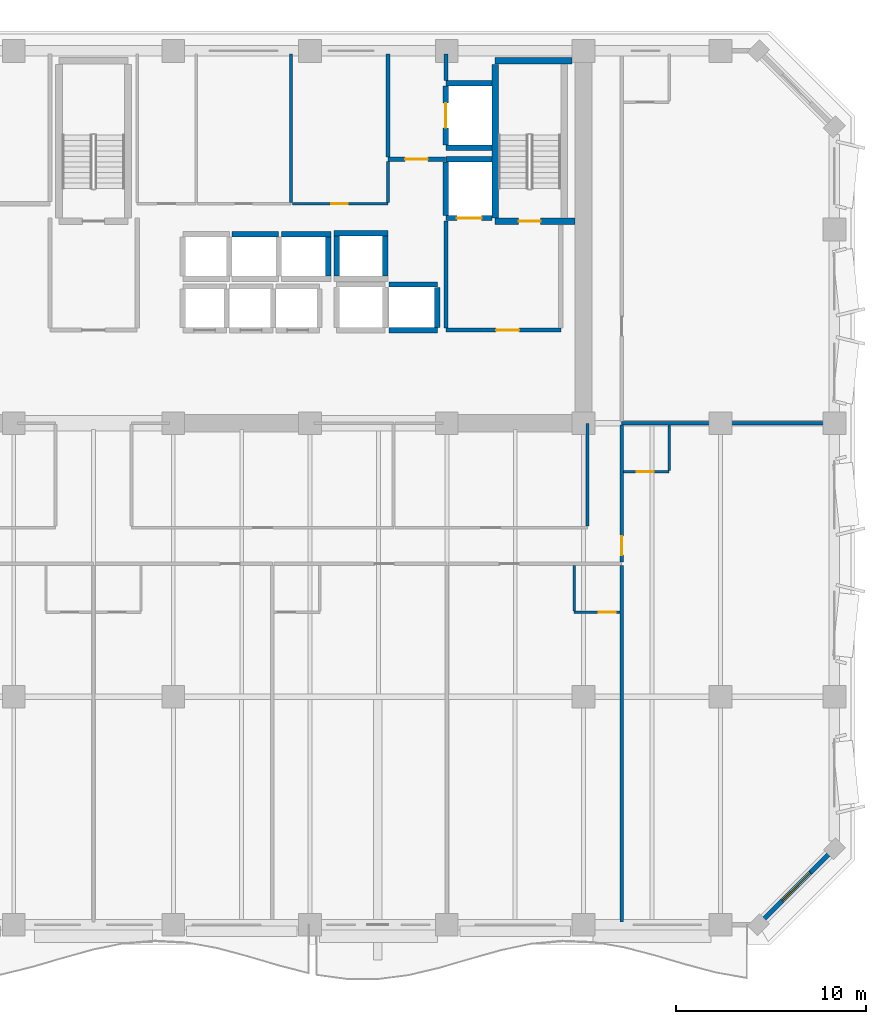
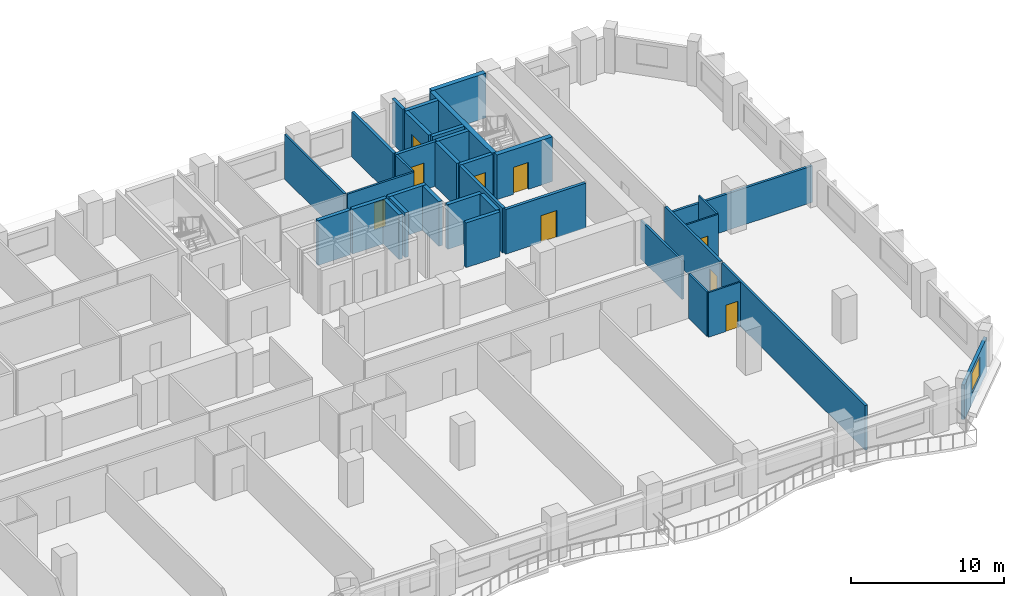
# One storey, part 8 of 14: 35 walls, 9 doors, 1 window, 10 openings.
"""IFC4 building model written with IfcOpenShell, lengths in metres."""

from ifc_helpers import new_model, si_unit, direction, frame, frame_2d, origin, place, context, subcontext, project, spatial, rectangle, extrude, material, layer, layer_set, type_object, element, fill, save


model = new_model("IFC4")

# Units and contexts
model_context = context("Model", 3, precision=1e-05, world=origin(), true_north=direction((0.0, 1.0)))
body_context = subcontext(model_context, "Body", "Model", "MODEL_VIEW")
ifc_project = project(units=[si_unit("LENGTHUNIT", "METRE"), si_unit("AREAUNIT", "SQUARE_METRE"), si_unit("VOLUMEUNIT", "CUBIC_METRE"), si_unit("PLANEANGLEUNIT", "RADIAN"), si_unit("MASSUNIT", "GRAM", prefix="KILO")], contexts=[model_context])

# Site, building, storey
site_placement = place(None, origin())
site = spatial("IfcSite", under=ifc_project, at=site_placement, CompositionType="ELEMENT")
building_placement = place(site_placement, origin())
building = spatial("IfcBuilding", under=site, at=building_placement, Name="Kaelvorn Grand Hotel", CompositionType="ELEMENT")
storey_placement = place(building_placement, frame((0.0, 0.0, 193.949951171875)))
storey = spatial("IfcBuildingStorey", under=building, at=storey_placement, Name="L47", CompositionType="ELEMENT", Elevation=193.949951171875)

# Wall, opening, window
ifc_material_1 = material(Name="Concrete C40/50", Category="concrete")
ifc_layer_1 = layer(ifc_material_1, 0.239990234375)
ifc_layer_set_1 = layer_set([ifc_layer_1], Name="Concrete C40/50")
wall_type_1 = type_object("IfcWallType", Name="WL-EXT-240-C40", PredefinedType="SOLIDWALL", material=ifc_layer_set_1)
wall_1_placement = place(storey_placement, frame((77.0, 3.0, 0.0), z_axis=(0.0, 0.0, 1.0), x_axis=(0.707106781187, 0.707106781187, 0.0)))
wall_1 = element("IfcWall", 1, at=wall_1_placement, inside=storey, type_object=wall_type_1, Name="L47 Exterior Architectural Concrete Wall 02", PredefinedType="SOLIDWALL", context=body_context, shape_type="SweptSolid", body=[
    extrude(rectangle(XDim=5.65673828125, YDim=0.239990234375, at=frame_2d((2.828369140625, 0.0))), origin(), (0.0, 0.0, 1.0), 2.760009765625),
])
opening_1_placement = place(wall_1_placement, frame((1.7783203125, 0.0, 0.85009765625)))
opening_1 = element("IfcOpeningElement", 2, at=opening_1_placement, cuts=wall_1, Name="Opening W7", PredefinedType="OPENING", context=body_context, shape_type="SweptSolid", body=[
    extrude(rectangle(XDim=2.10009765625, YDim=1.60009765625, at=frame_2d((1.050048828125, 0.800048828125))), frame((0.0, 0.1298828125, 0.0), z_axis=(0.0, -1.0, 0.0), x_axis=(1.0, 0.0, 0.0)), (0.0, 0.0, 1.0), 0.260009765625),
])
ifc_material_2 = material(Name="Laminated Low-E Glass", Category="glass")
window_type = type_object("IfcWindowType", Name="WIN-CHM-2100x1600", PartitioningType="SINGLE_PANEL", PredefinedType="WINDOW", material=ifc_material_2)
window_placement = place(opening_1_placement, origin())
window = element("IfcWindow", 3, at=window_placement, inside=storey, type_object=window_type, Name="L47 Chamfered 45-Degree Corner Window SE", OverallHeight=1.60009765625, OverallWidth=2.10009765625, PartitioningType="SINGLE_PANEL", PredefinedType="WINDOW", context=body_context, shape_type="SweptSolid", body=[
    extrude(rectangle(XDim=2.10009765625, YDim=1.60009765625, at=frame_2d((1.050048828125, 0.800048828125))), frame((0.0, 0.030029296875, 0.0), z_axis=(0.0, -1.0, 0.0), x_axis=(1.0, 0.0, 0.0)), (0.0, 0.0, 1.0), 0.06005859375),
])
fill(opening_1, window)

# Wall, opening, door
ifc_material_3 = material(Name="Moisture-Resistant Tile & Stud Board")
ifc_layer_2 = layer(ifc_material_3, 0.125)
ifc_layer_set_2 = layer_set([ifc_layer_2], Name="Moisture-Resistant Tile & Stud Board")
wall_type_2 = type_object("IfcWallType", Name="WL-PART-125-WET", PredefinedType="PARTITIONING", material=ifc_layer_set_2)
wall_2_placement = place(storey_placement, frame((67.300048828125, 19.449951171875, 0.0), z_axis=(0.0, 0.0, 1.0), x_axis=(1.0, 0.0, 0.0)))
wall_2 = element("IfcWall", 4, at=wall_2_placement, inside=storey, type_object=wall_type_2, Name="L47 En-suite Bathroom L47-06 S Partition", PredefinedType="PARTITIONING", context=body_context, shape_type="SweptSolid", body=[
    extrude(rectangle(XDim=2.405029296875, YDim=0.125, at=frame_2d((1.20263671875, 0.0))), origin(), (0.0, 0.0, 1.0), 3.56005859375),
])
opening_2_placement = place(wall_2_placement, frame((1.300048828125, 0.0, 0.0)))
opening_2 = element("IfcOpeningElement", 5, at=opening_2_placement, cuts=wall_2, Name="Opening DI4", PredefinedType="OPENING", context=body_context, shape_type="SweptSolid", body=[
    extrude(rectangle(XDim=0.89990234375, YDim=2.10009765625, at=frame_2d((0.449951171875, 1.050048828125))), frame((0.0, 0.072509765625, 0.0), z_axis=(0.0, -1.0, 0.0), x_axis=(1.0, 0.0, 0.0)), (0.0, 0.0, 1.0), 0.14501953125),
])
ifc_material_4 = material(Name="Timber Veneer Leaf", Category="wood")
door_type_1 = type_object("IfcDoorType", Name="DR-INT-BATH-900x2100", OperationType="NOTDEFINED", PredefinedType="DOOR", material=ifc_material_4)
door_1_placement = place(opening_2_placement, origin())
door_1 = element("IfcDoor", 6, at=door_1_placement, inside=storey, type_object=door_type_1, Name="L47 En-suite Bathroom L47-06 Door", OperationType="SINGLE_SWING_LEFT", OverallHeight=2.10009765625, OverallWidth=0.89990234375, PredefinedType="DOOR", context=body_context, shape_type="SweptSolid", body=[
    extrude(rectangle(XDim=0.89990234375, YDim=2.10009765625, at=frame_2d((0.449951171875, 1.050048828125))), frame((0.0, 0.02490234375, 0.0), z_axis=(0.0, -1.0, 0.0), x_axis=(1.0, 0.0, 0.0)), (0.0, 0.0, 1.0), 0.050048828125),
])
fill(opening_2, door_1)

# Wall
wall_3_placement = place(storey_placement, frame((67.300048828125, 19.517578125, 0.0), z_axis=(0.0, 0.0, 1.0), x_axis=(0.0, 1.0, 0.0)))
element("IfcWall", 7, at=wall_3_placement, inside=storey, type_object=wall_type_2, Name="L47 En-suite Bathroom L47-06 W Partition", PredefinedType="PARTITIONING", context=body_context, shape_type="SweptSolid", body=[
    extrude(rectangle(XDim=2.387451171875, YDim=0.125, at=frame_2d((1.19384765625, 0.0))), origin(), (0.0, 0.0, 1.0), 3.56005859375),
])

# Wall, opening, door
wall_4_placement = place(storey_placement, frame((69.89501953125, 26.85009765625, 0.0), z_axis=(0.0, 0.0, 1.0), x_axis=(1.0, 0.0, 0.0)))
wall_4 = element("IfcWall", 8, at=wall_4_placement, inside=storey, type_object=wall_type_2, Name="L47 En-suite Bathroom L47-08 S Partition", PredefinedType="PARTITIONING", context=body_context, shape_type="SweptSolid", body=[
    extrude(rectangle(XDim=2.405029296875, YDim=0.125, at=frame_2d((1.20263671875, 0.0))), origin(), (0.0, 0.0, 1.0), 3.56005859375),
])
opening_3_placement = place(wall_4_placement, frame((0.705078125, 0.0, 0.0)))
opening_3 = element("IfcOpeningElement", 9, at=opening_3_placement, cuts=wall_4, Name="Opening DI4", PredefinedType="OPENING", context=body_context, shape_type="SweptSolid", body=[
    extrude(rectangle(XDim=0.89990234375, YDim=2.10009765625, at=frame_2d((0.449951171875, 1.050048828125))), frame((0.0, 0.072509765625, 0.0), z_axis=(0.0, -1.0, 0.0), x_axis=(1.0, 0.0, 0.0)), (0.0, 0.0, 1.0), 0.14501953125),
])
door_2_placement = place(opening_3_placement, origin())
door_2 = element("IfcDoor", 10, at=door_2_placement, inside=storey, type_object=door_type_1, Name="L47 En-suite Bathroom L47-08 Door", OperationType="SINGLE_SWING_LEFT", OverallHeight=2.10009765625, OverallWidth=0.89990234375, PredefinedType="DOOR", context=body_context, shape_type="SweptSolid", body=[
    extrude(rectangle(XDim=0.89990234375, YDim=2.10009765625, at=frame_2d((0.449951171875, 1.050048828125))), frame((0.0, 0.02490234375, 0.0), z_axis=(0.0, -1.0, 0.0), x_axis=(1.0, 0.0, 0.0)), (0.0, 0.0, 1.0), 0.050048828125),
])
fill(opening_3, door_2)

# Walls
wall_5_placement = place(storey_placement, frame((72.300048828125, 26.91748046875, 0.0), z_axis=(0.0, 0.0, 1.0), x_axis=(0.0, 1.0, 0.0)))
element("IfcWall", 11, at=wall_5_placement, inside=storey, type_object=wall_type_2, Name="L47 En-suite Bathroom L47-08 E Partition", PredefinedType="PARTITIONING", context=body_context, shape_type="SweptSolid", body=[
    extrude(rectangle(XDim=2.387451171875, YDim=0.125, at=frame_2d((1.19384765625, 0.0))), origin(), (0.0, 0.0, 1.0), 3.56005859375),
])
ifc_material_5 = material(Name="Acoustic Gypsum & Stud Partition")
ifc_layer_3 = layer(ifc_material_5, 0.14990234375)
ifc_layer_set_3 = layer_set([ifc_layer_3], Name="Acoustic Gypsum & Stud Partition")
wall_type_3 = type_object("IfcWallType", Name="WL-PART-150-EI60", PredefinedType="PARTITIONING", material=ifc_layer_set_3)
wall_6_placement = place(storey_placement, frame((52.39990234375, 41.030029296875, 0.0), z_axis=(0.0, 0.0, 1.0), x_axis=(0.0, 1.0, 0.0)))
element("IfcWall", 12, at=wall_6_placement, inside=storey, type_object=wall_type_3, Name="L47 Valet & Luggage Store E Partition", PredefinedType="PARTITIONING", context=body_context, shape_type="SweptSolid", body=[
    extrude(rectangle(XDim=7.820068359375, YDim=0.14990234375, at=frame_2d((3.91015625, 0.0))), origin(), (0.0, 0.0, 1.0), 3.56005859375),
])

# Wall, opening, door
wall_7_placement = place(storey_placement, frame((52.47998046875, 40.949951171875, 0.0), z_axis=(0.0, 0.0, 1.0), x_axis=(1.0, 0.0, 0.0)))
wall_7 = element("IfcWall", 13, at=wall_7_placement, inside=storey, type_object=wall_type_3, Name="L47 Clean Utility & Amenity Store S Partition", PredefinedType="PARTITIONING", context=body_context, shape_type="SweptSolid", body=[
    extrude(rectangle(XDim=5.02001953125, YDim=0.14990234375, at=frame_2d((2.510009765625, 0.0))), origin(), (0.0, 0.0, 1.0), 3.56005859375),
])
opening_4_placement = place(wall_7_placement, frame((2.044921875, 0.0, 0.0)))
opening_4 = element("IfcOpeningElement", 14, at=opening_4_placement, cuts=wall_7, Name="Opening DI7", PredefinedType="OPENING", context=body_context, shape_type="SweptSolid", body=[
    extrude(rectangle(XDim=0.85009765625, YDim=2.10009765625, at=frame_2d((0.425048828125, 1.050048828125))), frame((0.0, 0.0849609375, 0.0), z_axis=(0.0, -1.0, 0.0), x_axis=(1.0, 0.0, 0.0)), (0.0, 0.0, 1.0), 0.169921875),
])
ifc_material_6 = material(Name="Powder-Coated Steel Leaf", Category="steel")
door_type_2 = type_object("IfcDoorType", Name="DR-INT-RISER-850x2100", OperationType="NOTDEFINED", PredefinedType="DOOR", material=ifc_material_6)
door_3_placement = place(opening_4_placement, origin())
door_3 = element("IfcDoor", 15, at=door_3_placement, inside=storey, type_object=door_type_2, Name="L47 Clean Utility & Amenity Store Door", OperationType="SINGLE_SWING_LEFT", OverallHeight=2.10009765625, OverallWidth=0.85009765625, PredefinedType="DOOR", context=body_context, shape_type="SweptSolid", body=[
    extrude(rectangle(XDim=0.85009765625, YDim=2.10009765625, at=frame_2d((0.425048828125, 1.050048828125))), frame((0.0, 0.02490234375, 0.0), z_axis=(0.0, -1.0, 0.0), x_axis=(1.0, 0.0, 0.0)), (0.0, 0.0, 1.0), 0.050048828125),
])
fill(opening_4, door_3)

# Walls
wall_8_placement = place(storey_placement, frame((57.5, 41.030029296875, 0.0), z_axis=(0.0, 0.0, 1.0), x_axis=(0.0, 1.0, 0.0)))
element("IfcWall", 16, at=wall_8_placement, inside=storey, type_object=wall_type_3, Name="L47 Clean Utility & Amenity Store E Partition", PredefinedType="PARTITIONING", context=body_context, shape_type="SweptSolid", body=[
    extrude(rectangle(XDim=2.155029296875, YDim=0.14990234375, at=frame_2d((1.07763671875, 0.0))), origin(), (0.0, 0.0, 1.0), 3.56005859375),
])
wall_9_placement = place(storey_placement, frame((68.0, 23.97998046875, 0.0), z_axis=(0.0, 0.0, 1.0), x_axis=(0.0, 1.0, 0.0)))
element("IfcWall", 17, at=wall_9_placement, inside=storey, type_object=wall_type_3, Name="L47 VIP Dining Restaurant E Partition", PredefinedType="PARTITIONING", context=body_context, shape_type="SweptSolid", body=[
    extrude(rectangle(XDim=5.409912109375, YDim=0.14990234375, at=frame_2d((2.705078125, 0.0))), origin(), (0.0, 0.0, 1.0), 3.06005859375),
])
ifc_layer_4 = layer(ifc_material_5, 0.179931640625)
ifc_layer_set_4 = layer_set([ifc_layer_4], Name="Acoustic Gypsum & Stud Partition")
wall_type_4 = type_object("IfcWallType", Name="WL-PART-180-EI60", PredefinedType="PARTITIONING", material=ifc_layer_set_4)
wall_10_placement = place(storey_placement, frame((69.800048828125, 3.14990234375, 0.0), z_axis=(0.0, 0.0, 1.0), x_axis=(0.0, 1.0, 0.0)))
element("IfcWall", 18, at=wall_10_placement, inside=storey, type_object=wall_type_4, Name="L47 Mid-Rise Signature Suite L47-06 E Partition", PredefinedType="PARTITIONING", context=body_context, shape_type="SweptSolid", body=[
    extrude(rectangle(XDim=18.755126953125, YDim=0.179931640625, at=frame_2d((9.37744140625, 0.0))), origin(), (0.0, 0.0, 1.0), 3.56005859375),
])
wall_11_placement = place(storey_placement, frame((69.800048828125, 29.39990234375, 0.0), z_axis=(0.0, 0.0, 1.0), x_axis=(1.0, 0.0, 0.0)))
element("IfcWall", 19, at=wall_11_placement, inside=storey, type_object=wall_type_4, Name="L47 Presidential Sky Suite L47-08 N Partition", PredefinedType="PARTITIONING", context=body_context, shape_type="SweptSolid", body=[
    extrude(rectangle(XDim=11.050048828125, YDim=0.179931640625, at=frame_2d((5.52490234375, 0.0))), origin(), (0.0, 0.0, 1.0), 2.91015625),
])

# Wall, opening, door
wall_12_placement = place(storey_placement, frame((69.800048828125, 22.094970703125, 0.0), z_axis=(0.0, 0.0, 1.0), x_axis=(0.0, 1.0, 0.0)))
wall_12 = element("IfcWall", 20, at=wall_12_placement, inside=storey, type_object=wall_type_4, Name="L47 Presidential Sky Suite L47-08 W Partition", PredefinedType="PARTITIONING", context=body_context, shape_type="SweptSolid", body=[
    extrude(rectangle(XDim=7.2099609375, YDim=0.179931640625, at=frame_2d((3.60498046875, 0.0))), origin(), (0.0, 0.0, 1.0), 3.56005859375),
])
opening_5_placement = place(wall_12_placement, frame((0.35498046875, 0.0, 0.0)))
opening_5 = element("IfcOpeningElement", 21, at=opening_5_placement, cuts=wall_12, Name="Opening DI3", PredefinedType="OPENING", context=body_context, shape_type="SweptSolid", body=[
    extrude(rectangle(XDim=1.0, YDim=2.14990234375, at=frame_2d((0.5, 1.074951171875))), frame((0.0, 0.10009765625, 0.0), z_axis=(0.0, -1.0, 0.0), x_axis=(1.0, 0.0, 0.0)), (0.0, 0.0, 1.0), 0.199951171875),
])
ifc_material_7 = material(Name="Timber Veneer Fire Leaf", Category="wood")
door_type_3 = type_object("IfcDoorType", Name="DR-INT-GUEST-1000x2150", OperationType="NOTDEFINED", PredefinedType="DOOR", material=ifc_material_7)
door_4_placement = place(opening_5_placement, origin())
door_4 = element("IfcDoor", 22, at=door_4_placement, inside=storey, type_object=door_type_3, Name="L47 Presidential Sky Suite L47-08 Door", OperationType="SINGLE_SWING_RIGHT", OverallHeight=2.14990234375, OverallWidth=1.0, PredefinedType="DOOR", context=body_context, shape_type="SweptSolid", body=[
    extrude(rectangle(XDim=1.0, YDim=2.14990234375, at=frame_2d((0.5, 1.074951171875))), frame((0.0, 0.02490234375, 0.0), z_axis=(0.0, -1.0, 0.0), x_axis=(1.0, 0.0, 0.0)), (0.0, 0.0, 1.0), 0.050048828125),
])
fill(opening_5, door_4)

ifc_layer_5 = layer(ifc_material_1, 0.219970703125)
ifc_layer_set_5 = layer_set([ifc_layer_5], Name="Concrete C40/50")
wall_type_5 = type_object("IfcWallType", Name="WL-PART-220-EI120", PredefinedType="PARTITIONING", material=ifc_layer_set_5)
wall_13_placement = place(storey_placement, frame((60.550048828125, 34.300048828125, 0.0), z_axis=(0.0, 0.0, 1.0), x_axis=(1.0, 0.0, 0.0)))
wall_13 = element("IfcWall", 23, at=wall_13_placement, inside=storey, type_object=wall_type_5, Name="L47 Firefighting Lift Lobby 2 S Partition", PredefinedType="PARTITIONING", context=body_context, shape_type="SweptSolid", body=[
    extrude(rectangle(XDim=6.050048828125, YDim=0.219970703125, at=frame_2d((3.02490234375, 0.0))), origin(), (0.0, 0.0, 1.0), 3.56005859375),
])
opening_6_placement = place(wall_13_placement, frame((2.64990234375, 0.0, 0.0)))
opening_6 = element("IfcOpeningElement", 24, at=opening_6_placement, cuts=wall_13, Name="Opening DI2", PredefinedType="OPENING", context=body_context, shape_type="SweptSolid", body=[
    extrude(rectangle(XDim=1.199951171875, YDim=2.14990234375, at=frame_2d((0.60009765625, 1.074951171875))), frame((0.0, 0.1201171875, 0.0), z_axis=(0.0, -1.0, 0.0), x_axis=(1.0, 0.0, 0.0)), (0.0, 0.0, 1.0), 0.239990234375),
])
door_type_4 = type_object("IfcDoorType", Name="DR-INT-FFLOB-1200x2150", OperationType="NOTDEFINED", PredefinedType="DOOR", material=ifc_material_7)
door_5_placement = place(opening_6_placement, origin())
door_5 = element("IfcDoor", 25, at=door_5_placement, inside=storey, type_object=door_type_4, Name="L47 Firefighting Lift Lobby 2 Door", OperationType="SINGLE_SWING_LEFT", OverallHeight=2.14990234375, OverallWidth=1.199951171875, PredefinedType="DOOR", context=body_context, shape_type="SweptSolid", body=[
    extrude(rectangle(XDim=1.199951171875, YDim=2.14990234375, at=frame_2d((0.60009765625, 1.074951171875))), frame((0.0, 0.02490234375, 0.0), z_axis=(0.0, -1.0, 0.0), x_axis=(1.0, 0.0, 0.0)), (0.0, 0.0, 1.0), 0.050048828125),
])
fill(opening_6, door_5)

# Wall
wall_14_placement = place(storey_placement, frame((60.550048828125, 34.4150390625, 0.0), z_axis=(0.0, 0.0, 1.0), x_axis=(0.0, 1.0, 0.0)))
element("IfcWall", 26, at=wall_14_placement, inside=storey, type_object=wall_type_5, Name="L47 Firefighting Lift Lobby 2 W Partition", PredefinedType="PARTITIONING", context=body_context, shape_type="SweptSolid", body=[
    extrude(rectangle(XDim=5.639892578125, YDim=0.219970703125, at=frame_2d((2.81982421875, 0.0))), origin(), (0.0, 0.0, 1.0), 3.56005859375),
])

# Wall, opening, door
wall_15_placement = place(storey_placement, frame((57.5, 43.300048828125, 0.0), z_axis=(0.0, 0.0, 1.0), x_axis=(1.0, 0.0, 0.0)))
wall_15 = element("IfcWall", 27, at=wall_15_placement, inside=storey, type_object=wall_type_5, Name="L47 Service Lift Lobby S Partition", PredefinedType="PARTITIONING", context=body_context, shape_type="SweptSolid", body=[
    extrude(rectangle(XDim=3.0400390625, YDim=0.219970703125, at=frame_2d((1.52001953125, 0.0))), origin(), (0.0, 0.0, 1.0), 3.56005859375),
])
opening_7_placement = place(wall_15_placement, frame((0.89990234375, 0.0, 0.0)))
opening_7 = element("IfcOpeningElement", 28, at=opening_7_placement, cuts=wall_15, Name="Opening DI2", PredefinedType="OPENING", context=body_context, shape_type="SweptSolid", body=[
    extrude(rectangle(XDim=1.199951171875, YDim=2.14990234375, at=frame_2d((0.60009765625, 1.074951171875))), frame((0.0, 0.1201171875, 0.0), z_axis=(0.0, -1.0, 0.0), x_axis=(1.0, 0.0, 0.0)), (0.0, 0.0, 1.0), 0.239990234375),
])
door_6_placement = place(opening_7_placement, origin())
door_6 = element("IfcDoor", 29, at=door_6_placement, inside=storey, type_object=door_type_4, Name="L47 Service Lift Lobby Door", OperationType="SINGLE_SWING_LEFT", OverallHeight=2.14990234375, OverallWidth=1.199951171875, PredefinedType="DOOR", context=body_context, shape_type="SweptSolid", body=[
    extrude(rectangle(XDim=1.199951171875, YDim=2.14990234375, at=frame_2d((0.60009765625, 1.074951171875))), frame((0.0, 0.02490234375, 0.0), z_axis=(0.0, -1.0, 0.0), x_axis=(1.0, 0.0, 0.0)), (0.0, 0.0, 1.0), 0.050048828125),
])
fill(opening_7, door_6)

# Walls
wall_16_placement = place(storey_placement, frame((57.5, 43.4150390625, 0.0), z_axis=(0.0, 0.0, 1.0), x_axis=(0.0, 1.0, 0.0)))
element("IfcWall", 30, at=wall_16_placement, inside=storey, type_object=wall_type_5, Name="L47 Service Lift Lobby W Partition", PredefinedType="PARTITIONING", context=body_context, shape_type="SweptSolid", body=[
    extrude(rectangle(XDim=5.43505859375, YDim=0.219970703125, at=frame_2d((2.717529296875, 0.0))), origin(), (0.0, 0.0, 1.0), 3.56005859375),
])
wall_17_placement = place(storey_placement, frame((60.550048828125, 47.445068359375, 0.0), z_axis=(0.0, 0.0, 1.0), x_axis=(0.0, 1.0, 0.0)))
element("IfcWall", 31, at=wall_17_placement, inside=storey, type_object=wall_type_5, Name="L47 Service Lift Lobby E Partition", PredefinedType="PARTITIONING", context=body_context, shape_type="SweptSolid", body=[
    extrude(rectangle(XDim=1.405029296875, YDim=0.219970703125, at=frame_2d((0.70263671875, 0.0))), origin(), (0.0, 0.0, 1.0), 3.56005859375),
])
ifc_material_8 = material(Name="Concrete C50/60", Category="concrete")
ifc_layer_6 = layer(ifc_material_8, 0.280029296875)
ifc_layer_set_6 = layer_set([ifc_layer_6], Name="Concrete C50/60")
wall_type_6 = type_object("IfcWallType", Name="WL-SHAFT-280-C50", PredefinedType="SHEAR", material=ifc_layer_set_6)
wall_18_placement = place(storey_placement, frame((49.300048828125, 39.35009765625, 0.0), z_axis=(0.0, 0.0, 1.0), x_axis=(1.0, 0.0, 0.0)))
element("IfcWall", 32, at=wall_18_placement, inside=storey, type_object=wall_type_6, Name="L47 Lift SL-2 Shaft North Wall", PredefinedType="SHEAR", context=body_context, shape_type="SweptSolid", body=[
    extrude(rectangle(XDim=2.449951171875, YDim=0.280029296875, at=frame_2d((1.22509765625, 0.0))), origin(), (0.0, 0.0, 1.0), 3.56005859375),
])
wall_19_placement = place(storey_placement, frame((51.89990234375, 39.35009765625, 0.0), z_axis=(0.0, 0.0, 1.0), x_axis=(1.0, 0.0, 0.0)))
element("IfcWall", 33, at=wall_19_placement, inside=storey, type_object=wall_type_6, Name="L47 Lift SL-3 Shaft North Wall", PredefinedType="SHEAR", context=body_context, shape_type="SweptSolid", body=[
    extrude(rectangle(XDim=2.590087890625, YDim=0.280029296875, at=frame_2d((1.294921875, 0.0))), origin(), (0.0, 0.0, 1.0), 3.56005859375),
])
wall_20_placement = place(storey_placement, frame((54.35009765625, 37.14501953125, 0.0), z_axis=(0.0, 0.0, 1.0), x_axis=(0.0, 1.0, 0.0)))
element("IfcWall", 34, at=wall_20_placement, inside=storey, type_object=wall_type_6, Name="L47 Lift SL-3 Shaft East Wall", PredefinedType="SHEAR", context=body_context, shape_type="SweptSolid", body=[
    extrude(rectangle(XDim=2.06005859375, YDim=0.280029296875, at=frame_2d((1.030029296875, 0.0))), origin(), (0.0, 0.0, 1.0), 3.56005859375),
])
for number, where, z_axis, x_axis, name in (
    (35, (57.550048828125, 34.300048828125, 0.0), (0.0, 0.0, 1.0), (1.0, 0.0, 0.0), "L47 Lift OL-2 Shaft South Wall"),
    (36, (57.550048828125, 36.699951171875, 0.0), (0.0, 0.0, 1.0), (1.0, 0.0, 0.0), "L47 Lift OL-2 Shaft North Wall"),
):
    element("IfcWall", number, at=place(storey_placement, frame(where, z_axis=z_axis, x_axis=x_axis)), inside=storey, type_object=wall_type_6, Name=name, PredefinedType="SHEAR", context=body_context, shape_type="SweptSolid", body=[
        extrude(rectangle(XDim=2.550048828125, YDim=0.280029296875, at=frame_2d((1.27490234375, 0.0))), origin(), (0.0, 0.0, 1.0), 3.56005859375),
    ])
wall_21_placement = place(storey_placement, frame((60.10009765625, 34.445068359375, 0.0), z_axis=(0.0, 0.0, 1.0), x_axis=(0.0, 1.0, 0.0)))
element("IfcWall", 37, at=wall_21_placement, inside=storey, type_object=wall_type_6, Name="L47 Lift OL-2 Shaft East Wall", PredefinedType="SHEAR", context=body_context, shape_type="SweptSolid", body=[
    extrude(rectangle(XDim=2.10986328125, YDim=0.280029296875, at=frame_2d((1.054931640625, 0.0))), origin(), (0.0, 0.0, 1.0), 3.56005859375),
])
wall_22_placement = place(storey_placement, frame((54.659912109375, 39.39990234375, 0.0), z_axis=(0.0, 0.0, 1.0), x_axis=(1.0, 0.0, 0.0)))
element("IfcWall", 38, at=wall_22_placement, inside=storey, type_object=wall_type_6, Name="L47 Lift OL-3 Shaft North Wall", PredefinedType="SHEAR", context=body_context, shape_type="SweptSolid", body=[
    extrude(rectangle(XDim=2.830078125, YDim=0.280029296875, at=frame_2d((1.4150390625, 0.0))), origin(), (0.0, 0.0, 1.0), 3.56005859375),
])
for number, where, z_axis, x_axis, name in (
    (39, (54.800048828125, 37.14501953125, 0.0), (0.0, 0.0, 1.0), (0.0, 1.0, 0.0), "L47 Lift OL-3 Shaft West Wall"),
    (40, (57.35009765625, 37.14501953125, 0.0), (0.0, 0.0, 1.0), (0.0, 1.0, 0.0), "L47 Lift OL-3 Shaft East Wall"),
):
    element("IfcWall", number, at=place(storey_placement, frame(where, z_axis=z_axis, x_axis=x_axis)), inside=storey, type_object=wall_type_6, Name=name, PredefinedType="SHEAR", context=body_context, shape_type="SweptSolid", body=[
        extrude(rectangle(XDim=2.10986328125, YDim=0.280029296875, at=frame_2d((1.054931640625, 0.0))), origin(), (0.0, 0.0, 1.0), 3.56005859375),
    ])

# Wall, opening, door
wall_23_placement = place(storey_placement, frame((60.550048828125, 40.199951171875, 0.0), z_axis=(0.0, 0.0, 1.0), x_axis=(1.0, 0.0, 0.0)))
wall_23 = element("IfcWall", 41, at=wall_23_placement, inside=storey, type_object=wall_type_6, Name="L47 Lift FFL2 Shaft South Wall", PredefinedType="SHEAR", context=body_context, shape_type="SweptSolid", body=[
    extrude(rectangle(XDim=2.4150390625, YDim=0.280029296875, at=frame_2d((1.20751953125, 0.0))), origin(), (0.0, 0.0, 1.0), 3.56005859375),
])
opening_8_placement = place(wall_23_placement, frame((0.574951171875, 0.0, 0.0)))
opening_8 = element("IfcOpeningElement", 42, at=opening_8_placement, cuts=wall_23, Name="Opening LD-FFL2", PredefinedType="OPENING", context=body_context, shape_type="SweptSolid", body=[
    extrude(rectangle(XDim=1.300048828125, YDim=2.300048828125, at=frame_2d((0.64990234375, 1.14990234375))), frame((0.0, 0.14990234375, 0.0), z_axis=(0.0, -1.0, 0.0), x_axis=(1.0, 0.0, 0.0)), (0.0, 0.0, 1.0), 0.300048828125),
])
ifc_material_9 = material(Name="Stainless Steel", Category="steel")
door_type_5 = type_object("IfcDoorType", Name="DR-LIFT-SERV-1300x2300", OperationType="DOUBLE_DOOR_SLIDING", PredefinedType="DOOR", material=ifc_material_9)
door_7_placement = place(opening_8_placement, origin())
door_7 = element("IfcDoor", 43, at=door_7_placement, inside=storey, type_object=door_type_5, Name="L47 Lift FFL2 Sliding Landing Door LD-FFL2", OperationType="DOUBLE_DOOR_SLIDING", OverallHeight=2.300048828125, OverallWidth=1.300048828125, PredefinedType="DOOR", context=body_context, shape_type="SweptSolid", body=[
    extrude(rectangle(XDim=1.300048828125, YDim=2.300048828125, at=frame_2d((0.64990234375, 1.14990234375))), frame((0.0, 0.02490234375, 0.0), z_axis=(0.0, -1.0, 0.0), x_axis=(1.0, 0.0, 0.0)), (0.0, 0.0, 1.0), 0.050048828125),
])
fill(opening_8, door_7)

# Walls
wall_24_placement = place(storey_placement, frame((60.550048828125, 43.300048828125, 0.0), z_axis=(0.0, 0.0, 1.0), x_axis=(1.0, 0.0, 0.0)))
element("IfcWall", 44, at=wall_24_placement, inside=storey, type_object=wall_type_6, Name="L47 Lift FFL2 Shaft North Wall", PredefinedType="SHEAR", context=body_context, shape_type="SweptSolid", body=[
    extrude(rectangle(XDim=2.4150390625, YDim=0.280029296875, at=frame_2d((1.20751953125, 0.0))), origin(), (0.0, 0.0, 1.0), 3.56005859375),
])
wall_25_placement = place(storey_placement, frame((60.550048828125, 40.344970703125, 0.0), z_axis=(0.0, 0.0, 1.0), x_axis=(0.0, 1.0, 0.0)))
element("IfcWall", 45, at=wall_25_placement, inside=storey, type_object=wall_type_6, Name="L47 Lift FFL2 Shaft West Wall", PredefinedType="SHEAR", context=body_context, shape_type="SweptSolid", body=[
    extrude(rectangle(XDim=2.81005859375, YDim=0.280029296875, at=frame_2d((1.405029296875, 0.0))), origin(), (0.0, 0.0, 1.0), 3.56005859375),
])
for number, where, z_axis, x_axis, name in (
    (46, (60.550048828125, 43.89990234375, 0.0), (0.0, 0.0, 1.0), (1.0, 0.0, 0.0), "L47 Lift SV1 Shaft South Wall"),
    (47, (60.550048828125, 47.300048828125, 0.0), (0.0, 0.0, 1.0), (1.0, 0.0, 0.0), "L47 Lift SV1 Shaft North Wall"),
):
    element("IfcWall", number, at=place(storey_placement, frame(where, z_axis=z_axis, x_axis=x_axis)), inside=storey, type_object=wall_type_6, Name=name, PredefinedType="SHEAR", context=body_context, shape_type="SweptSolid", body=[
        extrude(rectangle(XDim=2.4150390625, YDim=0.280029296875, at=frame_2d((1.20751953125, 0.0))), origin(), (0.0, 0.0, 1.0), 3.56005859375),
    ])

# Wall, opening, door
wall_26_placement = place(storey_placement, frame((60.550048828125, 44.044921875, 0.0), z_axis=(0.0, 0.0, 1.0), x_axis=(0.0, 1.0, 0.0)))
wall_26 = element("IfcWall", 48, at=wall_26_placement, inside=storey, type_object=wall_type_6, Name="L47 Lift SV1 Shaft West Wall", PredefinedType="SHEAR", context=body_context, shape_type="SweptSolid", body=[
    extrude(rectangle(XDim=3.110107421875, YDim=0.280029296875, at=frame_2d((1.55517578125, 0.0))), origin(), (0.0, 0.0, 1.0), 3.56005859375),
])
opening_9_placement = place(wall_26_placement, frame((0.905029296875, 0.0, 0.0)))
opening_9 = element("IfcOpeningElement", 49, at=opening_9_placement, cuts=wall_26, Name="Opening LD-SV1", PredefinedType="OPENING", context=body_context, shape_type="SweptSolid", body=[
    extrude(rectangle(XDim=1.300048828125, YDim=2.300048828125, at=frame_2d((0.64990234375, 1.14990234375))), frame((0.0, 0.14990234375, 0.0), z_axis=(0.0, -1.0, 0.0), x_axis=(1.0, 0.0, 0.0)), (0.0, 0.0, 1.0), 0.300048828125),
])
door_8_placement = place(opening_9_placement, origin())
door_8 = element("IfcDoor", 50, at=door_8_placement, inside=storey, type_object=door_type_5, Name="L47 Lift SV1 Sliding Landing Door LD-SV1", OperationType="DOUBLE_DOOR_SLIDING", OverallHeight=2.300048828125, OverallWidth=1.300048828125, PredefinedType="DOOR", context=body_context, shape_type="SweptSolid", body=[
    extrude(rectangle(XDim=1.300048828125, YDim=2.300048828125, at=frame_2d((0.64990234375, 1.14990234375))), frame((0.0, 0.02490234375, 0.0), z_axis=(0.0, -1.0, 0.0), x_axis=(1.0, 0.0, 0.0)), (0.0, 0.0, 1.0), 0.050048828125),
])
fill(opening_9, door_8)

ifc_material_10 = material(Name="Concrete C60/75", Category="concrete")
ifc_layer_7 = layer(ifc_material_10, 0.35009765625)
ifc_layer_set_7 = layer_set([ifc_layer_7], Name="Concrete C60/75")
wall_type_7 = type_object("IfcWallType", Name="WL-SHAFT-350-C60", PredefinedType="SHEAR", material=ifc_layer_set_7)
wall_27_placement = place(storey_placement, frame((63.14501953125, 40.02490234375, 0.0), z_axis=(0.0, 0.0, 1.0), x_axis=(1.0, 0.0, 0.0)))
wall_27 = element("IfcWall", 51, at=wall_27_placement, inside=storey, type_object=wall_type_7, Name="L47 ST3 Stair Shaft South Wall", PredefinedType="SHEAR", context=body_context, shape_type="SweptSolid", body=[
    extrude(rectangle(XDim=4.199951171875, YDim=0.35009765625, at=frame_2d((2.10009765625, 0.0))), origin(), (0.0, 0.0, 1.0), 3.56005859375),
])
opening_10_placement = place(wall_27_placement, frame((1.239990234375, 0.0, 0.0)))
opening_10 = element("IfcOpeningElement", 52, at=opening_10_placement, cuts=wall_27, Name="Opening DI1", PredefinedType="OPENING", context=body_context, shape_type="SweptSolid", body=[
    extrude(rectangle(XDim=1.14990234375, YDim=2.14990234375, at=frame_2d((0.574951171875, 1.074951171875))), frame((0.0, 0.18505859375, 0.0), z_axis=(0.0, -1.0, 0.0), x_axis=(1.0, 0.0, 0.0)), (0.0, 0.0, 1.0), 0.3701171875),
])
door_type_6 = type_object("IfcDoorType", Name="DR-INT-STAIR-1150x2150", OperationType="NOTDEFINED", PredefinedType="DOOR", material=ifc_material_7)
door_9_placement = place(opening_10_placement, origin())
door_9 = element("IfcDoor", 53, at=door_9_placement, inside=storey, type_object=door_type_6, Name="L47 ST3 Exit Stair Fire Door", OperationType="SINGLE_SWING_LEFT", OverallHeight=2.14990234375, OverallWidth=1.14990234375, PredefinedType="DOOR", context=body_context, shape_type="SweptSolid", body=[
    extrude(rectangle(XDim=1.14990234375, YDim=2.14990234375, at=frame_2d((0.574951171875, 1.074951171875))), frame((0.0, 0.02490234375, 0.0), z_axis=(0.0, -1.0, 0.0), x_axis=(1.0, 0.0, 0.0)), (0.0, 0.0, 1.0), 0.050048828125),
])
fill(opening_10, door_9)

# Walls
wall_28_placement = place(storey_placement, frame((63.14501953125, 48.47509765625, 0.0), z_axis=(0.0, 0.0, 1.0), x_axis=(1.0, 0.0, 0.0)))
element("IfcWall", 54, at=wall_28_placement, inside=storey, type_object=wall_type_7, Name="L47 ST3 Stair Shaft North Wall", PredefinedType="SHEAR", context=body_context, shape_type="SweptSolid", body=[
    extrude(rectangle(XDim=4.050048828125, YDim=0.35009765625, at=frame_2d((2.02490234375, 0.0))), origin(), (0.0, 0.0, 1.0), 3.56005859375),
])
wall_29_placement = place(storey_placement, frame((63.14501953125, 40.205078125, 0.0), z_axis=(0.0, 0.0, 1.0), x_axis=(0.0, 1.0, 0.0)))
element("IfcWall", 55, at=wall_29_placement, inside=storey, type_object=wall_type_7, Name="L47 ST3 Stair Shaft West Wall", PredefinedType="SHEAR", context=body_context, shape_type="SweptSolid", body=[
    extrude(rectangle(XDim=8.08984375, YDim=0.35009765625, at=frame_2d((4.044921875, 0.0))), origin(), (0.0, 0.0, 1.0), 3.56005859375),
])

save(model, "model.ifc")
